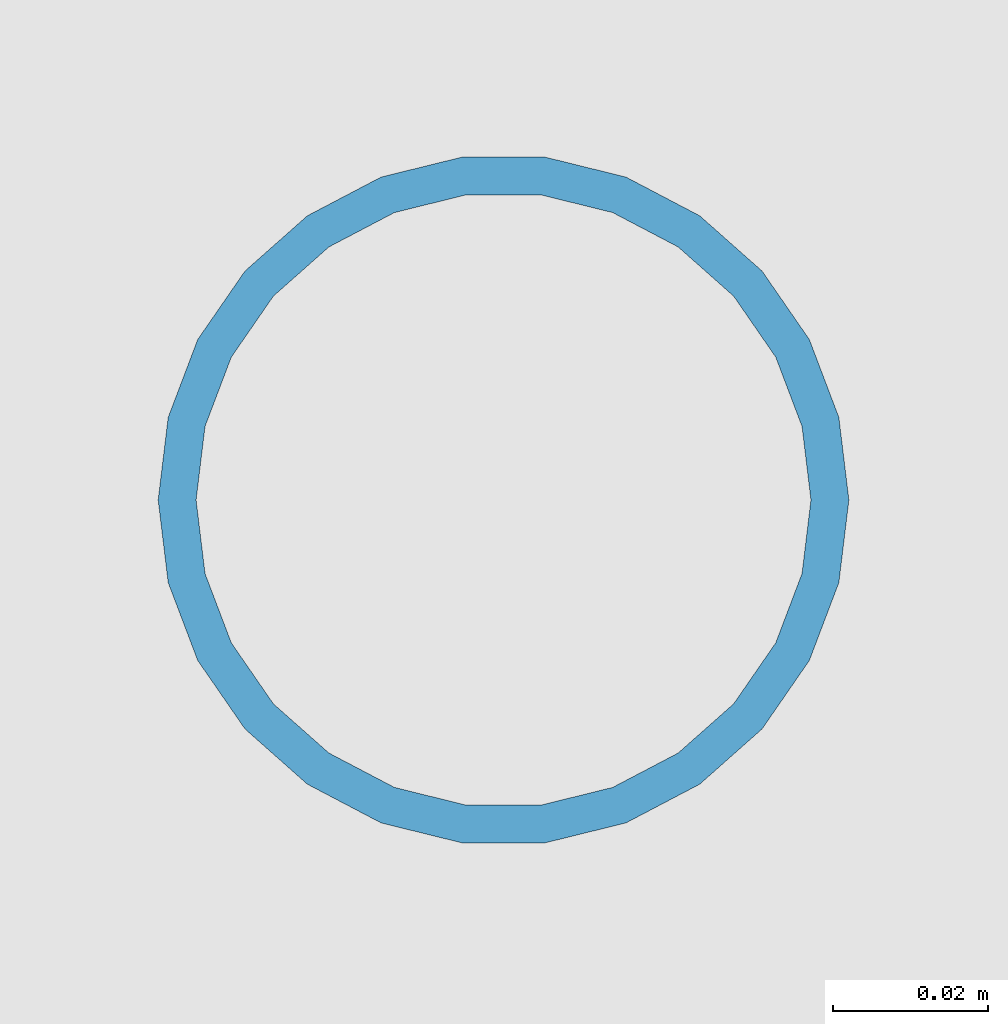
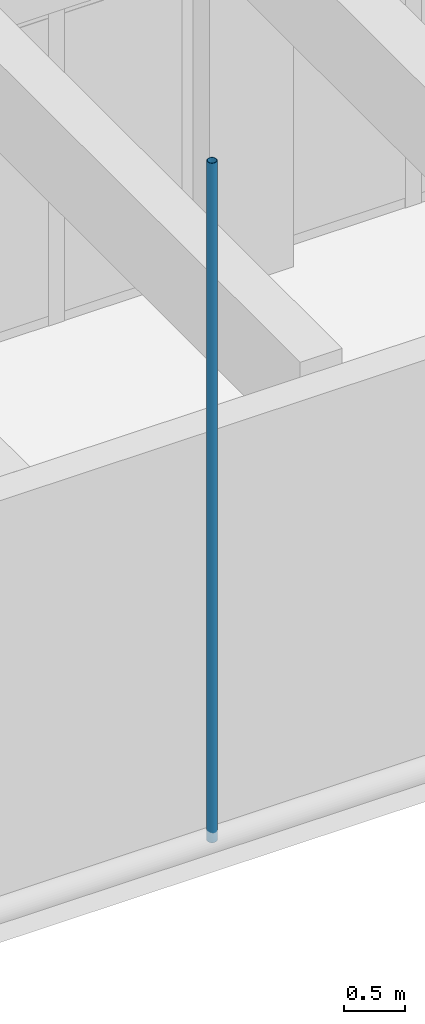
# One storey, part 23 of 101: 1 member.
"""IFC4 building model written with IfcOpenShell, lengths in metres."""

from ifc_helpers import new_model, si_unit, direction, frame, origin, origin_2d, place, context, subcontext, project, spatial, hollow_circle, extrude, material, material_profile, profile_set, type_object, element, save


model = new_model("IFC4")

# Units and contexts
model_context = context("Model", 3, precision=1e-05, world=origin(), true_north=direction((0.0, 1.0)))
body_context = subcontext(model_context, "Body", "Model", "MODEL_VIEW")
ifc_project = project(units=[si_unit("LENGTHUNIT", "METRE"), si_unit("AREAUNIT", "SQUARE_METRE"), si_unit("VOLUMEUNIT", "CUBIC_METRE"), si_unit("PLANEANGLEUNIT", "RADIAN"), si_unit("MASSUNIT", "GRAM", prefix="KILO")], contexts=[model_context])

# Site, building, storey
site_placement = place(None, origin())
site = spatial("IfcSite", under=ifc_project, at=site_placement, CompositionType="ELEMENT")
building_placement = place(site_placement, origin())
building = spatial("IfcBuilding", under=site, at=building_placement, Name="Laocheng Heights Fire and Rescue Headquarters", CompositionType="ELEMENT")
storey_placement = place(building_placement, frame((0.0, 0.0, 8.39990234375)))
storey = spatial("IfcBuildingStorey", under=building, at=storey_placement, Name="L02", CompositionType="ELEMENT", Elevation=8.39990234375)

# Member
ifc_material = material(Name="Steel Q355B", Category="steel")
ifc_material_profile = material_profile(ifc_material, hollow_circle(Radius=0.04443359375, WallThickness=0.0048828125, at=origin_2d()), Name="CHS 88.9x5")
ifc_profile_set = profile_set([ifc_material_profile], Name="Steel Q355B")
member_type = type_object("IfcMemberType", Name="BAY ROOF HANGER CHS 88.9x5", PredefinedType="POST", material=ifc_profile_set)
member_placement = place(storey_placement, frame((31.699951171875, 21.60009765625, 0.0), z_axis=(0.0, 0.0, 1.0), x_axis=(1.0, 0.0, 0.0)))
element("IfcMember", 1, at=member_placement, inside=storey, type_object=member_type, Name="Truss TR4 hanger 06", PredefinedType="POST", context=body_context, shape_type="SweptSolid", body=[
    extrude(hollow_circle(Radius=0.04443359375, WallThickness=0.0048828125, at=origin_2d()), origin(), (0.0, 0.0, 1.0), 6.843017578125),
])

save(model, "model.ifc")
